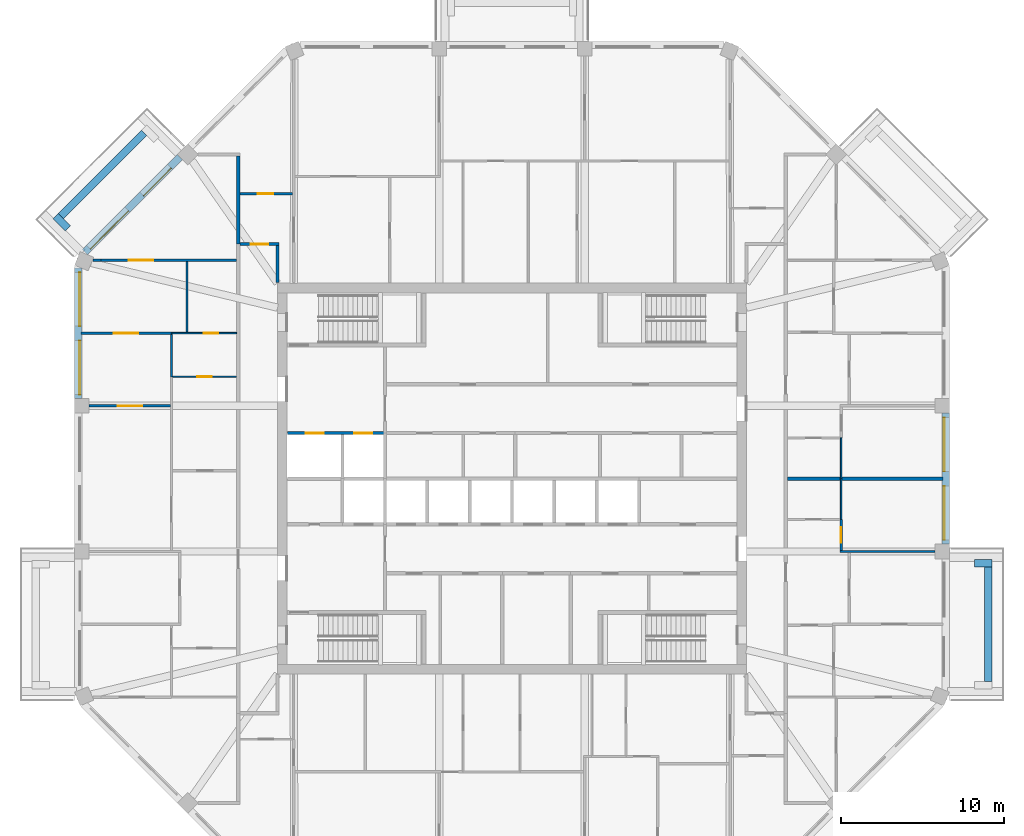
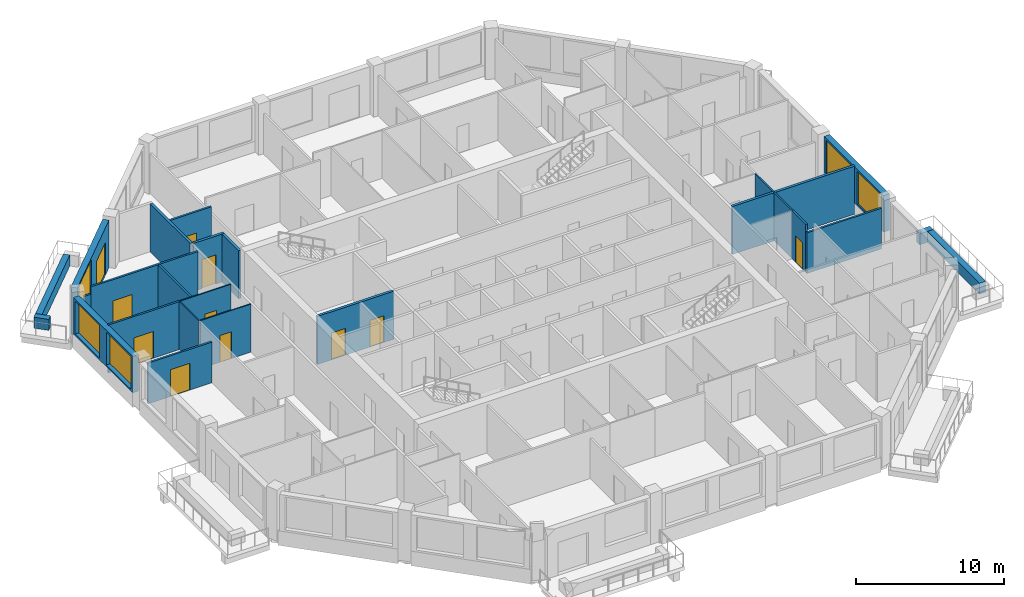
# One storey, part 7 of 11: 25 walls, 11 doors, 5 windows, 16 openings.
"""IFC4 building model written with IfcOpenShell, lengths in metres."""

from ifc_helpers import new_model, si_unit, direction, frame, frame_2d, origin, place, context, subcontext, project, spatial, rectangle, extrude, material, layer, layer_set, type_object, element, fill, save


model = new_model("IFC4")

# Units and contexts
model_context = context("Model", 3, precision=1e-05, world=origin(), true_north=direction((0.0, 1.0)))
body_context = subcontext(model_context, "Body", "Model", "MODEL_VIEW")
ifc_project = project(units=[si_unit("LENGTHUNIT", "METRE"), si_unit("AREAUNIT", "SQUARE_METRE"), si_unit("VOLUMEUNIT", "CUBIC_METRE"), si_unit("PLANEANGLEUNIT", "RADIAN"), si_unit("MASSUNIT", "GRAM", prefix="KILO")], contexts=[model_context])

# Site, building, storey
site_placement = place(None, origin())
site = spatial("IfcSite", under=ifc_project, at=site_placement, CompositionType="ELEMENT")
building_placement = place(site_placement, origin())
building = spatial("IfcBuilding", under=site, at=building_placement, Name="Msitu Wima Residences", CompositionType="ELEMENT")
storey_placement = place(building_placement, frame((0.0, 0.0, 260.10009765625)))
storey = spatial("IfcBuildingStorey", under=building, at=storey_placement, Name="L60", CompositionType="ELEMENT", Elevation=260.10009765625)

# Walls
ifc_material_1 = material(Name="Facing brick")
ifc_layer_1 = layer(ifc_material_1, 0.06494140625, Name="Facing brick")
ifc_material_2 = material(Name="Concrete C40/50", Category="concrete")
ifc_layer_2 = layer(ifc_material_2, 0.156005859375, Name="Concrete C40/50")
ifc_material_3 = material(Name="Waterproofing membrane")
ifc_layer_3 = layer(ifc_material_3, 0.00390625, Name="Waterproofing membrane")
ifc_material_4 = material(Name="Planting soil and planting")
ifc_layer_4 = layer(ifc_material_4, 0.22509765625, Name="Planting soil and planting")
ifc_layer_set_1 = layer_set([ifc_layer_1, ifc_layer_2, ifc_layer_3, ifc_layer_4], Name="Concrete C40/50")
wall_type_1 = type_object("IfcWallType", Name="Balcony planter PLANTER PL450", PredefinedType="USERDEFINED", material=ifc_layer_set_1)
wall_1_placement = place(storey_placement, frame((29.22509765625, -12.455810546875, 0.0), z_axis=(0.0, 0.0, 1.0), x_axis=(0.0, 1.0, 0.0)))
element("IfcWall", 1, at=wall_1_placement, inside=storey, type_object=wall_type_1, Name="Balcony planter E0 L60", ObjectType="PLANTER", PredefinedType="USERDEFINED", context=body_context, shape_type="SweptSolid", body=[
    extrude(rectangle(XDim=7.037109375, YDim=0.449951171875, at=frame_2d((3.5185546875, 0.0))), origin(), (0.0, 0.0, 1.0), 0.89990234375),
])
wall_2_placement = place(storey_placement, frame((28.39990234375, -5.193603515625, 0.0), z_axis=(0.0, 0.0, 1.0), x_axis=(1.0, 0.0, 0.0)))
element("IfcWall", 2, at=wall_2_placement, inside=storey, type_object=wall_type_1, Name="Balcony planter E0 L60", ObjectType="PLANTER", PredefinedType="USERDEFINED", context=body_context, shape_type="SweptSolid", body=[
    extrude(rectangle(XDim=1.050048828125, YDim=0.449951171875, at=frame_2d((0.52490234375, 0.0))), origin(), (0.0, 0.0, 1.0), 0.89990234375),
])
wall_3_placement = place(storey_placement, frame((-22.572265625, 21.228759765625, 0.0), z_axis=(0.0, 0.0, 1.0), x_axis=(-0.707106781187, -0.707106781187, 0.0)))
element("IfcWall", 3, at=wall_3_placement, inside=storey, type_object=wall_type_1, Name="Balcony planter NW1 L60", ObjectType="PLANTER", PredefinedType="USERDEFINED", context=body_context, shape_type="SweptSolid", body=[
    extrude(rectangle(XDim=7.23828125, YDim=0.449951171875, at=frame_2d((3.619140625, 0.0))), origin(), (0.0, 0.0, 1.0), 0.89990234375),
])
wall_4_placement = place(storey_placement, frame((-27.26611328125, 15.3681640625, 0.0), z_axis=(0.0, 0.0, 1.0), x_axis=(-0.707223014731, 0.706990528533, 0.0)))
element("IfcWall", 4, at=wall_4_placement, inside=storey, type_object=wall_type_1, Name="Balcony planter NW1 L60", ObjectType="PLANTER", PredefinedType="USERDEFINED", context=body_context, shape_type="SweptSolid", body=[
    extrude(rectangle(XDim=1.050048828125, YDim=0.449951171875, at=frame_2d((0.52490234375, 0.0))), origin(), (0.0, 0.0, 1.0), 0.89990234375),
])

# Wall, openings, windows
ifc_material_5 = material(Name="Brick (red buff mix)", Category="masonry")
ifc_layer_5 = layer(ifc_material_5, 0.449951171875)
ifc_layer_set_2 = layer_set([ifc_layer_5], Name="Brick (red buff mix)")
wall_type_2 = type_object("IfcWallType", Name="Brick infill wall BW450", PredefinedType="SOLIDWALL", material=ifc_layer_set_2)
wall_5_placement = place(storey_placement, frame((26.625, -4.0185546875, 0.89990234375), z_axis=(0.0, 0.0, 1.0), x_axis=(0.0, 1.0, 0.0)))
wall_5 = element("IfcWall", 5, at=wall_5_placement, inside=storey, type_object=wall_type_2, Name="Brick infill wall L60 E1", PredefinedType="SOLIDWALL", context=body_context, shape_type="SweptSolid", body=[
    extrude(rectangle(XDim=8.037109375, YDim=0.449951171875, at=frame_2d((4.0185546875, 0.0))), origin(), (0.0, 0.0, 1.0), 3.0),
])
opening_1_placement = place(wall_5_placement, frame((0.2685546875, 0.0, 0.14990234375)))
opening_1 = element("IfcOpeningElement", 6, at=opening_1_placement, cuts=wall_5, Name="Opening W60-62.002", PredefinedType="OPENING", context=body_context, shape_type="SweptSolid", body=[
    extrude(rectangle(XDim=3.300048828125, YDim=2.699951171875, at=frame_2d((1.64990234375, 1.35009765625))), frame((0.0, 0.23486328125, 0.0), z_axis=(0.0, -1.0, 0.0), x_axis=(1.0, 0.0, 0.0)), (0.0, 0.0, 1.0), 0.469970703125),
])
opening_2_placement = place(wall_5_placement, frame((4.46875, 0.0, 0.14990234375)))
opening_2 = element("IfcOpeningElement", 7, at=opening_2_placement, cuts=wall_5, Name="Opening W60-62.003", PredefinedType="OPENING", context=body_context, shape_type="SweptSolid", body=[
    extrude(rectangle(XDim=3.300048828125, YDim=2.699951171875, at=frame_2d((1.64990234375, 1.35009765625))), frame((0.0, 0.23486328125, 0.0), z_axis=(0.0, -1.0, 0.0), x_axis=(1.0, 0.0, 0.0)), (0.0, 0.0, 1.0), 0.469970703125),
])
ifc_material_6 = material(Name="Anodised aluminium, bronze finish, clear low-emissivity double glazing", Category="aluminium")
window_type = type_object("IfcWindowType", Name="Window W3300x2700", PartitioningType="DOUBLE_PANEL_VERTICAL", PredefinedType="WINDOW", material=ifc_material_6)
window_1_placement = place(opening_1_placement, origin())
window_1 = element("IfcWindow", 8, at=window_1_placement, inside=storey, type_object=window_type, Name="Window L60 E1.1", OverallHeight=2.699951171875, OverallWidth=3.300048828125, PartitioningType="SINGLE_PANEL", PredefinedType="WINDOW", context=body_context, shape_type="SweptSolid", body=[
    extrude(rectangle(XDim=3.300048828125, YDim=2.699951171875, at=frame_2d((1.64990234375, 1.35009765625))), frame((0.0, 0.135009765625, 0.0), z_axis=(0.0, -1.0, 0.0), x_axis=(1.0, 0.0, 0.0)), (0.0, 0.0, 1.0), 0.06005859375),
])
fill(opening_1, window_1)
window_2_placement = place(opening_2_placement, origin())
window_2 = element("IfcWindow", 9, at=window_2_placement, inside=storey, type_object=window_type, Name="Window L60 E1.2", OverallHeight=2.699951171875, OverallWidth=3.300048828125, PartitioningType="SINGLE_PANEL", PredefinedType="WINDOW", context=body_context, shape_type="SweptSolid", body=[
    extrude(rectangle(XDim=3.300048828125, YDim=2.699951171875, at=frame_2d((1.64990234375, 1.35009765625))), frame((0.0, 0.135009765625, 0.0), z_axis=(0.0, -1.0, 0.0), x_axis=(1.0, 0.0, 0.0)), (0.0, 0.0, 1.0), 0.06005859375),
])
fill(opening_2, window_2)

# Wall, openings, door, window
wall_6_placement = place(storey_placement, frame((-20.380126953125, 19.743896484375, 0.0), z_axis=(0.0, 0.0, 1.0), x_axis=(-0.707106781187, -0.707106781187, 0.0)))
wall_6 = element("IfcWall", 10, at=wall_6_placement, inside=storey, type_object=wall_type_2, Name="Brick infill wall L60 NW1", PredefinedType="SOLIDWALL", context=body_context, shape_type="SweptSolid", body=[
    extrude(rectangle(XDim=8.251220703125, YDim=0.449951171875, at=frame_2d((4.12548828125, 0.0))), origin(), (0.0, 0.0, 1.0), 3.89990234375),
])
opening_3_placement = place(wall_6_placement, frame((0.86279296875, 0.0, 0.0)))
opening_3 = element("IfcOpeningElement", 11, at=opening_3_placement, cuts=wall_6, Name="Opening D60-62.004", PredefinedType="OPENING", context=body_context, shape_type="SweptSolid", body=[
    extrude(rectangle(XDim=2.39990234375, YDim=2.699951171875, at=frame_2d((1.199951171875, 1.35009765625))), frame((0.0, 0.23486328125, 0.0), z_axis=(0.0, -1.0, 0.0), x_axis=(1.0, 0.0, 0.0)), (0.0, 0.0, 1.0), 0.469970703125),
])
opening_4_placement = place(wall_6_placement, frame((4.57568359375, 0.0, 1.050048828125)))
opening_4 = element("IfcOpeningElement", 12, at=opening_4_placement, cuts=wall_6, Name="Opening W60-62.016", PredefinedType="OPENING", context=body_context, shape_type="SweptSolid", body=[
    extrude(rectangle(XDim=3.300048828125, YDim=2.699951171875, at=frame_2d((1.64990234375, 1.35009765625))), frame((0.0, 0.23486328125, 0.0), z_axis=(0.0, -1.0, 0.0), x_axis=(1.0, 0.0, 0.0)), (0.0, 0.0, 1.0), 0.469970703125),
])
door_type_1 = type_object("IfcDoorType", Name="Balcony door D2400x2700", OperationType="SLIDING_TO_LEFT", PredefinedType="DOOR", material=ifc_material_6)
door_1_placement = place(opening_3_placement, origin())
door_1 = element("IfcDoor", 13, at=door_1_placement, inside=storey, type_object=door_type_1, Name="Balcony door L60 NW1", OperationType="SINGLE_SWING_LEFT", OverallHeight=2.699951171875, OverallWidth=2.39990234375, PredefinedType="DOOR", context=body_context, shape_type="SweptSolid", body=[
    extrude(rectangle(XDim=2.39990234375, YDim=2.699951171875, at=frame_2d((1.199951171875, 1.35009765625))), frame((0.0, 0.1298828125, 0.0), z_axis=(0.0, -1.0, 0.0), x_axis=(1.0, 0.0, 0.0)), (0.0, 0.0, 1.0), 0.050048828125),
])
fill(opening_3, door_1)
window_3_placement = place(opening_4_placement, origin())
window_3 = element("IfcWindow", 14, at=window_3_placement, inside=storey, type_object=window_type, Name="Window L60 NW1.2", OverallHeight=2.699951171875, OverallWidth=3.300048828125, PartitioningType="SINGLE_PANEL", PredefinedType="WINDOW", context=body_context, shape_type="SweptSolid", body=[
    extrude(rectangle(XDim=3.300048828125, YDim=2.699951171875, at=frame_2d((1.64990234375, 1.35009765625))), frame((0.0, 0.135009765625, 0.0), z_axis=(0.0, -1.0, 0.0), x_axis=(1.0, 0.0, 0.0)), (0.0, 0.0, 1.0), 0.06005859375),
])
fill(opening_4, window_3)

# Wall, openings, windows
wall_7_placement = place(storey_placement, frame((-26.625, 12.918701171875, 0.89990234375), z_axis=(0.0, 0.0, 1.0), x_axis=(0.0, -1.0, 0.0)))
wall_7 = element("IfcWall", 15, at=wall_7_placement, inside=storey, type_object=wall_type_2, Name="Brick infill wall L60 W0", PredefinedType="SOLIDWALL", context=body_context, shape_type="SweptSolid", body=[
    extrude(rectangle(XDim=8.0, YDim=0.449951171875, at=frame_2d((4.0, 0.0))), origin(), (0.0, 0.0, 1.0), 3.0),
])
opening_5_placement = place(wall_7_placement, frame((0.25, 0.0, 0.14990234375)))
opening_5 = element("IfcOpeningElement", 16, at=opening_5_placement, cuts=wall_7, Name="Opening W60-62.029", PredefinedType="OPENING", context=body_context, shape_type="SweptSolid", body=[
    extrude(rectangle(XDim=3.300048828125, YDim=2.699951171875, at=frame_2d((1.64990234375, 1.35009765625))), frame((0.0, 0.23486328125, 0.0), z_axis=(0.0, -1.0, 0.0), x_axis=(1.0, 0.0, 0.0)), (0.0, 0.0, 1.0), 0.469970703125),
])
opening_6_placement = place(wall_7_placement, frame((4.4501953125, 0.0, 0.14990234375)))
opening_6 = element("IfcOpeningElement", 17, at=opening_6_placement, cuts=wall_7, Name="Opening W60-62.030", PredefinedType="OPENING", context=body_context, shape_type="SweptSolid", body=[
    extrude(rectangle(XDim=3.300048828125, YDim=2.699951171875, at=frame_2d((1.64990234375, 1.35009765625))), frame((0.0, 0.23486328125, 0.0), z_axis=(0.0, -1.0, 0.0), x_axis=(1.0, 0.0, 0.0)), (0.0, 0.0, 1.0), 0.469970703125),
])
window_4_placement = place(opening_5_placement, origin())
window_4 = element("IfcWindow", 18, at=window_4_placement, inside=storey, type_object=window_type, Name="Window L60 W0.1", OverallHeight=2.699951171875, OverallWidth=3.300048828125, PartitioningType="SINGLE_PANEL", PredefinedType="WINDOW", context=body_context, shape_type="SweptSolid", body=[
    extrude(rectangle(XDim=3.300048828125, YDim=2.699951171875, at=frame_2d((1.64990234375, 1.35009765625))), frame((0.0, 0.135009765625, 0.0), z_axis=(0.0, -1.0, 0.0), x_axis=(1.0, 0.0, 0.0)), (0.0, 0.0, 1.0), 0.06005859375),
])
fill(opening_5, window_4)
window_5_placement = place(opening_6_placement, origin())
window_5 = element("IfcWindow", 19, at=window_5_placement, inside=storey, type_object=window_type, Name="Window L60 W0.2", OverallHeight=2.699951171875, OverallWidth=3.300048828125, PartitioningType="SINGLE_PANEL", PredefinedType="WINDOW", context=body_context, shape_type="SweptSolid", body=[
    extrude(rectangle(XDim=3.300048828125, YDim=2.699951171875, at=frame_2d((1.64990234375, 1.35009765625))), frame((0.0, 0.135009765625, 0.0), z_axis=(0.0, -1.0, 0.0), x_axis=(1.0, 0.0, 0.0)), (0.0, 0.0, 1.0), 0.06005859375),
])
fill(opening_6, window_5)

# Wall, opening, door
ifc_material_7 = material(Name="Plaster")
ifc_layer_6 = layer(ifc_material_7, 0.011962890625, Name="Plaster")
ifc_material_8 = material(Name="Concrete blockwork", Category="masonry")
ifc_layer_7 = layer(ifc_material_8, 0.176025390625, Name="Concrete blockwork")
ifc_layer_8 = layer(ifc_material_7, 0.011962890625, Name="Plaster")
ifc_layer_set_3 = layer_set([ifc_layer_6, ifc_layer_7, ifc_layer_8], Name="Concrete blockwork")
wall_type_3 = type_object("IfcWallType", Name="Corridor wall FW200", PredefinedType="PARTITIONING", material=ifc_layer_set_3)
wall_8_placement = place(storey_placement, frame((-16.699951171875, 14.39990234375, 0.0), z_axis=(0.0, 0.0, 1.0), x_axis=(1.0, 0.0, 0.0)))
wall_8 = element("IfcWall", 20, at=wall_8_placement, inside=storey, type_object=wall_type_3, Name="Corridor wall", PredefinedType="PARTITIONING", context=body_context, shape_type="SweptSolid", body=[
    extrude(rectangle(XDim=2.39990234375, YDim=0.199951171875, at=frame_2d((1.199951171875, 0.0))), origin(), (0.0, 0.0, 1.0), 3.949951171875),
])
opening_7_placement = place(wall_8_placement, frame((0.64990234375, 0.0, 0.0)))
opening_7 = element("IfcOpeningElement", 21, at=opening_7_placement, cuts=wall_8, Name="Opening D60-62.026", PredefinedType="OPENING", context=body_context, shape_type="SweptSolid", body=[
    extrude(rectangle(XDim=1.10009765625, YDim=2.39990234375, at=frame_2d((0.550048828125, 1.199951171875))), frame((0.0, 0.10986328125, 0.0), z_axis=(0.0, -1.0, 0.0), x_axis=(1.0, 0.0, 0.0)), (0.0, 0.0, 1.0), 0.219970703125),
])
ifc_material_9 = material(Name="Timber flush door, fire resisting, self-closing", Category="wood")
door_type_2 = type_object("IfcDoorType", Name="Flat entrance door D01 1100x2400", OperationType="SINGLE_SWING_LEFT", PredefinedType="DOOR", material=ifc_material_9)
door_2_placement = place(opening_7_placement, origin())
door_2 = element("IfcDoor", 22, at=door_2_placement, inside=storey, type_object=door_type_2, Name="Flat entrance door", OperationType="SINGLE_SWING_LEFT", OverallHeight=2.39990234375, OverallWidth=1.10009765625, PredefinedType="DOOR", context=body_context, shape_type="SweptSolid", body=[
    extrude(rectangle(XDim=1.10009765625, YDim=2.39990234375, at=frame_2d((0.550048828125, 1.199951171875))), frame((0.0, 0.02490234375, 0.0), z_axis=(0.0, -1.0, 0.0), x_axis=(1.0, 0.0, 0.0)), (0.0, 0.0, 1.0), 0.050048828125),
])
fill(opening_7, door_2)

# Wall
wall_9_placement = place(storey_placement, frame((-14.39990234375, 12.030029296875, 0.0), z_axis=(0.0, 0.0, 1.0), x_axis=(0.0, 1.0, 0.0)))
element("IfcWall", 23, at=wall_9_placement, inside=storey, type_object=wall_type_3, Name="Corridor wall", PredefinedType="PARTITIONING", context=body_context, shape_type="SweptSolid", body=[
    extrude(rectangle(XDim=2.27001953125, YDim=0.199951171875, at=frame_2d((1.135009765625, 0.0))), origin(), (0.0, 0.0, 1.0), 3.949951171875),
])

# Wall, opening, door
ifc_layer_9 = layer(ifc_material_7, 0.011962890625, Name="Plaster")
ifc_layer_10 = layer(ifc_material_8, 0.1259765625, Name="Concrete blockwork")
ifc_layer_11 = layer(ifc_material_7, 0.011962890625, Name="Plaster")
ifc_layer_set_4 = layer_set([ifc_layer_9, ifc_layer_10, ifc_layer_11], Name="Concrete blockwork")
wall_type_4 = type_object("IfcWallType", Name="Partition PW150", PredefinedType="PARTITIONING", material=ifc_layer_set_4)
wall_10_placement = place(storey_placement, frame((-25.949951171875, 4.46875, 0.0), z_axis=(0.0, 0.0, 1.0), x_axis=(1.0, 0.0, 0.0)))
wall_10 = element("IfcWall", 24, at=wall_10_placement, inside=storey, type_object=wall_type_4, Name="Partition", PredefinedType="PARTITIONING", context=body_context, shape_type="SweptSolid", body=[
    extrude(rectangle(XDim=4.974853515625, YDim=0.14990234375, at=frame_2d((2.4873046875, 0.0))), origin(), (0.0, 0.0, 1.0), 3.349853515625),
])
opening_8_placement = place(wall_10_placement, frame((1.75, 0.0, 0.0)))
opening_8 = element("IfcOpeningElement", 25, at=opening_8_placement, cuts=wall_10, Name="Opening D60-62.049", PredefinedType="OPENING", context=body_context, shape_type="SweptSolid", body=[
    extrude(rectangle(XDim=1.5, YDim=2.199951171875, at=frame_2d((0.75, 1.10009765625))), frame((0.0, 0.0849609375, 0.0), z_axis=(0.0, -1.0, 0.0), x_axis=(1.0, 0.0, 0.0)), (0.0, 0.0, 1.0), 0.169921875),
])
ifc_material_10 = material(Name="Timber double door", Category="wood")
door_type_3 = type_object("IfcDoorType", Name="Double door D04 1500x2200", OperationType="DOUBLE_DOOR_SINGLE_SWING", PredefinedType="DOOR", material=ifc_material_10)
door_3_placement = place(opening_8_placement, origin())
door_3 = element("IfcDoor", 26, at=door_3_placement, inside=storey, type_object=door_type_3, Name="Double door", OperationType="DOUBLE_DOOR_SINGLE_SWING", OverallHeight=2.199951171875, OverallWidth=1.5, PredefinedType="DOOR", context=body_context, shape_type="SweptSolid", body=[
    extrude(rectangle(XDim=1.5, YDim=2.199951171875, at=frame_2d((0.75, 1.10009765625))), frame((0.0, 0.02490234375, 0.0), z_axis=(0.0, -1.0, 0.0), x_axis=(1.0, 0.0, 0.0)), (0.0, 0.0, 1.0), 0.050048828125),
])
fill(opening_8, door_3)

wall_11_placement = place(storey_placement, frame((-26.455078125, 8.937255859375, 0.0), z_axis=(0.0, 0.0, 1.0), x_axis=(1.0, 0.0, 0.0)))
wall_11 = element("IfcWall", 27, at=wall_11_placement, inside=storey, type_object=wall_type_4, Name="Partition", PredefinedType="PARTITIONING", context=body_context, shape_type="SweptSolid", body=[
    extrude(rectangle(XDim=5.5751953125, YDim=0.14990234375, at=frame_2d((2.78759765625, 0.0))), origin(), (0.0, 0.0, 1.0), 3.949951171875),
])
opening_9_placement = place(wall_11_placement, frame((2.0, 0.0, 0.0)))
opening_9 = element("IfcOpeningElement", 28, at=opening_9_placement, cuts=wall_11, Name="Opening D60-62.041", PredefinedType="OPENING", context=body_context, shape_type="SweptSolid", body=[
    extrude(rectangle(XDim=1.5, YDim=2.199951171875, at=frame_2d((0.75, 1.10009765625))), frame((0.0, 0.0849609375, 0.0), z_axis=(0.0, -1.0, 0.0), x_axis=(1.0, 0.0, 0.0)), (0.0, 0.0, 1.0), 0.169921875),
])
door_4_placement = place(opening_9_placement, origin())
door_4 = element("IfcDoor", 29, at=door_4_placement, inside=storey, type_object=door_type_3, Name="Double door", OperationType="DOUBLE_DOOR_SINGLE_SWING", OverallHeight=2.199951171875, OverallWidth=1.5, PredefinedType="DOOR", context=body_context, shape_type="SweptSolid", body=[
    extrude(rectangle(XDim=1.5, YDim=2.199951171875, at=frame_2d((0.75, 1.10009765625))), frame((0.0, 0.02490234375, 0.0), z_axis=(0.0, -1.0, 0.0), x_axis=(1.0, 0.0, 0.0)), (0.0, 0.0, 1.0), 0.050048828125),
])
fill(opening_9, door_4)

# Wall
wall_12_placement = place(storey_placement, frame((-25.731201171875, 13.406005859375, 0.0), z_axis=(0.0, 0.0, 1.0), x_axis=(1.0, 0.0, 0.0)))
element("IfcWall", 30, at=wall_12_placement, inside=storey, type_object=wall_type_4, Name="Partition", PredefinedType="PARTITIONING", context=body_context, shape_type="SweptSolid", body=[
    extrude(rectangle(XDim=0.507080078125, YDim=0.14990234375, at=frame_2d((0.25341796875, 0.0))), origin(), (0.0, 0.0, 1.0), 3.349853515625),
])

# Wall, opening, door
wall_13_placement = place(storey_placement, frame((-25.22412109375, 13.406005859375, 0.0), z_axis=(0.0, 0.0, 1.0), x_axis=(1.0, 0.0, 0.0)))
wall_13 = element("IfcWall", 31, at=wall_13_placement, inside=storey, type_object=wall_type_4, Name="Partition", PredefinedType="PARTITIONING", context=body_context, shape_type="SweptSolid", body=[
    extrude(rectangle(XDim=8.32421875, YDim=0.14990234375, at=frame_2d((4.162109375, 0.0))), origin(), (0.0, 0.0, 1.0), 3.949951171875),
])
opening_10_placement = place(wall_13_placement, frame((1.69287109375, 0.0, 0.0)))
opening_10 = element("IfcOpeningElement", 32, at=opening_10_placement, cuts=wall_13, Name="Opening D60-62.042", PredefinedType="OPENING", context=body_context, shape_type="SweptSolid", body=[
    extrude(rectangle(XDim=1.5, YDim=2.199951171875, at=frame_2d((0.75, 1.10009765625))), frame((0.0, 0.0849609375, 0.0), z_axis=(0.0, -1.0, 0.0), x_axis=(1.0, 0.0, 0.0)), (0.0, 0.0, 1.0), 0.169921875),
])
door_5_placement = place(opening_10_placement, origin())
door_5 = element("IfcDoor", 33, at=door_5_placement, inside=storey, type_object=door_type_3, Name="Double door", OperationType="DOUBLE_DOOR_SINGLE_SWING", OverallHeight=2.199951171875, OverallWidth=1.5, PredefinedType="DOOR", context=body_context, shape_type="SweptSolid", body=[
    extrude(rectangle(XDim=1.5, YDim=2.199951171875, at=frame_2d((0.75, 1.10009765625))), frame((0.0, 0.02490234375, 0.0), z_axis=(0.0, -1.0, 0.0), x_axis=(1.0, 0.0, 0.0)), (0.0, 0.0, 1.0), 0.050048828125),
])
fill(opening_10, door_5)

# Wall
wall_14_placement = place(storey_placement, frame((-19.949951171875, 8.9873046875, 0.0), z_axis=(0.0, 0.0, 1.0), x_axis=(0.0, 1.0, 0.0)))
element("IfcWall", 34, at=wall_14_placement, inside=storey, type_object=wall_type_4, Name="Partition", PredefinedType="PARTITIONING", context=body_context, shape_type="SweptSolid", body=[
    extrude(rectangle(XDim=4.343505859375, YDim=0.14990234375, at=frame_2d((2.171875, 0.0))), origin(), (0.0, 0.0, 1.0), 3.949951171875),
])

# Wall, opening, door
wall_15_placement = place(storey_placement, frame((-16.699951171875, 17.5, 0.0), z_axis=(0.0, 0.0, 1.0), x_axis=(1.0, 0.0, 0.0)))
wall_15 = element("IfcWall", 35, at=wall_15_placement, inside=storey, type_object=wall_type_4, Name="Partition", PredefinedType="PARTITIONING", context=body_context, shape_type="SweptSolid", body=[
    extrude(rectangle(XDim=3.218994140625, YDim=0.14990234375, at=frame_2d((1.609375, 0.0))), origin(), (0.0, 0.0, 1.0), 3.949951171875),
])
opening_11_placement = place(wall_15_placement, frame((1.10009765625, 0.0, 0.0)))
opening_11 = element("IfcOpeningElement", 36, at=opening_11_placement, cuts=wall_15, Name="Opening D60-62.032", PredefinedType="OPENING", context=body_context, shape_type="SweptSolid", body=[
    extrude(rectangle(XDim=0.949951171875, YDim=2.199951171875, at=frame_2d((0.47509765625, 1.10009765625))), frame((0.0, 0.0849609375, 0.0), z_axis=(0.0, -1.0, 0.0), x_axis=(1.0, 0.0, 0.0)), (0.0, 0.0, 1.0), 0.169921875),
])
ifc_material_11 = material(Name="Timber flush door", Category="wood")
door_type_4 = type_object("IfcDoorType", Name="Room door D12 950x2200", OperationType="SINGLE_SWING_LEFT", PredefinedType="DOOR", material=ifc_material_11)
door_6_placement = place(opening_11_placement, origin())
door_6 = element("IfcDoor", 37, at=door_6_placement, inside=storey, type_object=door_type_4, Name="Room door", OperationType="SINGLE_SWING_LEFT", OverallHeight=2.199951171875, OverallWidth=0.949951171875, PredefinedType="DOOR", context=body_context, shape_type="SweptSolid", body=[
    extrude(rectangle(XDim=0.949951171875, YDim=2.199951171875, at=frame_2d((0.47509765625, 1.10009765625))), frame((0.0, 0.02490234375, 0.0), z_axis=(0.0, -1.0, 0.0), x_axis=(1.0, 0.0, 0.0)), (0.0, 0.0, 1.0), 0.050048828125),
])
fill(opening_11, door_6)

wall_16_placement = place(storey_placement, frame((20.199951171875, -4.3935546875, 0.0), z_axis=(0.0, 0.0, 1.0), x_axis=(0.0, 1.0, 0.0)))
wall_16 = element("IfcWall", 38, at=wall_16_placement, inside=storey, type_object=wall_type_4, Name="Partition", PredefinedType="PARTITIONING", context=body_context, shape_type="SweptSolid", body=[
    extrude(rectangle(XDim=1.8935546875, YDim=0.14990234375, at=frame_2d((0.94677734375, 0.0))), origin(), (0.0, 0.0, 1.0), 3.949951171875),
])
opening_12_placement = place(wall_16_placement, frame((0.449951171875, 0.0, 0.0)))
opening_12 = element("IfcOpeningElement", 39, at=opening_12_placement, cuts=wall_16, Name="Opening D60-62.011", PredefinedType="OPENING", context=body_context, shape_type="SweptSolid", body=[
    extrude(rectangle(XDim=0.949951171875, YDim=2.199951171875, at=frame_2d((0.47509765625, 1.10009765625))), frame((0.0, 0.0849609375, 0.0), z_axis=(0.0, -1.0, 0.0), x_axis=(1.0, 0.0, 0.0)), (0.0, 0.0, 1.0), 0.169921875),
])
door_7_placement = place(opening_12_placement, origin())
door_7 = element("IfcDoor", 40, at=door_7_placement, inside=storey, type_object=door_type_4, Name="Room door", OperationType="SINGLE_SWING_RIGHT", OverallHeight=2.199951171875, OverallWidth=0.949951171875, PredefinedType="DOOR", context=body_context, shape_type="SweptSolid", body=[
    extrude(rectangle(XDim=0.949951171875, YDim=2.199951171875, at=frame_2d((0.47509765625, 1.10009765625))), frame((0.0, 0.02490234375, 0.0), z_axis=(0.0, -1.0, 0.0), x_axis=(1.0, 0.0, 0.0)), (0.0, 0.0, 1.0), 0.050048828125),
])
fill(opening_12, door_7)

# Walls
wall_17_placement = place(storey_placement, frame((20.125, -4.46875, 0.0), z_axis=(0.0, 0.0, 1.0), x_axis=(1.0, 0.0, 0.0)))
element("IfcWall", 41, at=wall_17_placement, inside=storey, type_object=wall_type_4, Name="Partition", PredefinedType="PARTITIONING", context=body_context, shape_type="SweptSolid", body=[
    extrude(rectangle(XDim=5.824951171875, YDim=0.14990234375, at=frame_2d((2.91259765625, 0.0))), origin(), (0.0, 0.0, 1.0), 3.349853515625),
])
ifc_layer_12 = layer(ifc_material_7, 0.011962890625, Name="Plaster")
ifc_material_12 = material(Name="Dense concrete blockwork", Category="masonry")
ifc_layer_13 = layer(ifc_material_12, 0.176025390625, Name="Dense concrete blockwork")
ifc_layer_14 = layer(ifc_material_7, 0.011962890625, Name="Plaster")
ifc_layer_set_5 = layer_set([ifc_layer_12, ifc_layer_13, ifc_layer_14], Name="Dense concrete blockwork")
wall_type_5 = type_object("IfcWallType", Name="Party wall PW200", PredefinedType="PARTITIONING", material=ifc_layer_set_5)
wall_18_placement = place(storey_placement, frame((-16.800048828125, 14.39990234375, 0.0), z_axis=(0.0, 0.0, 1.0), x_axis=(0.0, 1.0, 0.0)))
element("IfcWall", 42, at=wall_18_placement, inside=storey, type_object=wall_type_5, Name="Party wall", PredefinedType="PARTITIONING", context=body_context, shape_type="SweptSolid", body=[
    extrude(rectangle(XDim=5.403076171875, YDim=0.199951171875, at=frame_2d((2.70166015625, 0.0))), origin(), (0.0, 0.0, 1.0), 3.949951171875),
])
wall_19_placement = place(storey_placement, frame((16.89990234375, 0.0, 0.0), z_axis=(0.0, 0.0, 1.0), x_axis=(1.0, 0.0, 0.0)))
element("IfcWall", 43, at=wall_19_placement, inside=storey, type_object=wall_type_5, Name="Party wall", PredefinedType="PARTITIONING", context=body_context, shape_type="SweptSolid", body=[
    extrude(rectangle(XDim=9.55517578125, YDim=0.199951171875, at=frame_2d((4.777587890625, 0.0))), origin(), (0.0, 0.0, 1.0), 3.949951171875),
])

# Wall, openings, doors
ifc_material_13 = material(Name="Fire-rated board")
ifc_layer_15 = layer(ifc_material_13, 0.02490234375, Name="Fire-rated board")
ifc_material_14 = material(Name="Light-gauge stud framing with mineral wool")
ifc_layer_16 = layer(ifc_material_14, 0.14990234375, Name="Light-gauge stud framing with mineral wool")
ifc_layer_17 = layer(ifc_material_13, 0.02490234375, Name="Fire-rated board")
ifc_layer_set_6 = layer_set([ifc_layer_15, ifc_layer_16, ifc_layer_17], Name="Light-gauge stud framing with mineral wool")
wall_type_6 = type_object("IfcWallType", Name="Shaft wall SH200", PredefinedType="PARTITIONING", material=ifc_layer_set_6)
wall_20_placement = place(storey_placement, frame((-13.77001953125, 2.800048828125, 0.0), z_axis=(0.0, 0.0, 1.0), x_axis=(1.0, 0.0, 0.0)))
wall_20 = element("IfcWall", 44, at=wall_20_placement, inside=storey, type_object=wall_type_6, Name="Shaft wall", PredefinedType="PARTITIONING", context=body_context, shape_type="SweptSolid", body=[
    extrude(rectangle(XDim=5.949951171875, YDim=0.199951171875, at=frame_2d((2.97509765625, 0.0))), origin(), (0.0, 0.0, 1.0), 3.949951171875),
])
opening_13_placement = place(wall_20_placement, frame((1.10009765625, 0.0, 0.0)))
opening_13 = element("IfcOpeningElement", 45, at=opening_13_placement, cuts=wall_20, Name="Opening LD", PredefinedType="OPENING", context=body_context, shape_type="SweptSolid", body=[
    extrude(rectangle(XDim=1.10009765625, YDim=2.199951171875, at=frame_2d((0.550048828125, 1.10009765625))), frame((0.0, 0.10986328125, 0.0), z_axis=(0.0, -1.0, 0.0), x_axis=(1.0, 0.0, 0.0)), (0.0, 0.0, 1.0), 0.219970703125),
])
opening_14_placement = place(wall_20_placement, frame((4.10009765625, 0.0, 0.0)))
opening_14 = element("IfcOpeningElement", 46, at=opening_14_placement, cuts=wall_20, Name="Opening LD", PredefinedType="OPENING", context=body_context, shape_type="SweptSolid", body=[
    extrude(rectangle(XDim=1.10009765625, YDim=2.199951171875, at=frame_2d((0.550048828125, 1.10009765625))), frame((0.0, 0.10986328125, 0.0), z_axis=(0.0, -1.0, 0.0), x_axis=(1.0, 0.0, 0.0)), (0.0, 0.0, 1.0), 0.219970703125),
])
ifc_material_15 = material(Name="Stainless steel centre-opening landing door, rated", Category="steel")
door_type_5 = type_object("IfcDoorType", Name="Lift landing door LD 1100x2200", OperationType="DOUBLE_DOOR_SLIDING", PredefinedType="DOOR", material=ifc_material_15)
door_8_placement = place(opening_13_placement, origin())
door_8 = element("IfcDoor", 47, at=door_8_placement, inside=storey, type_object=door_type_5, Name="Lift landing door LD1", OperationType="DOUBLE_DOOR_SLIDING", OverallHeight=2.199951171875, OverallWidth=1.10009765625, PredefinedType="DOOR", context=body_context, shape_type="SweptSolid", body=[
    extrude(rectangle(XDim=1.10009765625, YDim=2.199951171875, at=frame_2d((0.550048828125, 1.10009765625))), frame((0.0, 0.02490234375, 0.0), z_axis=(0.0, -1.0, 0.0), x_axis=(1.0, 0.0, 0.0)), (0.0, 0.0, 1.0), 0.050048828125),
])
fill(opening_13, door_8)
door_9_placement = place(opening_14_placement, origin())
door_9 = element("IfcDoor", 48, at=door_9_placement, inside=storey, type_object=door_type_5, Name="Lift landing door LD2", OperationType="DOUBLE_DOOR_SLIDING", OverallHeight=2.199951171875, OverallWidth=1.10009765625, PredefinedType="DOOR", context=body_context, shape_type="SweptSolid", body=[
    extrude(rectangle(XDim=1.10009765625, YDim=2.199951171875, at=frame_2d((0.550048828125, 1.10009765625))), frame((0.0, 0.02490234375, 0.0), z_axis=(0.0, -1.0, 0.0), x_axis=(1.0, 0.0, 0.0)), (0.0, 0.0, 1.0), 0.050048828125),
])
fill(opening_14, door_9)

# Wall
ifc_material_16 = material(Name="Ceramic tiles")
ifc_layer_18 = layer(ifc_material_16, 0.008056640625, Name="Ceramic tiles")
ifc_material_17 = material(Name="Moisture-resistant board")
ifc_layer_19 = layer(ifc_material_17, 0.012451171875, Name="Moisture-resistant board")
ifc_layer_20 = layer(ifc_material_14, 0.06689453125, Name="Light-gauge stud framing with mineral wool")
ifc_layer_21 = layer(ifc_material_17, 0.012451171875, Name="Moisture-resistant board")
ifc_layer_set_7 = layer_set([ifc_layer_18, ifc_layer_19, ifc_layer_20, ifc_layer_21], Name="Light-gauge stud framing with mineral wool")
wall_type_7 = type_object("IfcWallType", Name="Wet wall PW100", PredefinedType="PARTITIONING", material=ifc_layer_set_7)
wall_21_placement = place(storey_placement, frame((-20.89990234375, 6.256103515625, 0.0), z_axis=(0.0, 0.0, 1.0), x_axis=(0.0, 1.0, 0.0)))
element("IfcWall", 49, at=wall_21_placement, inside=storey, type_object=wall_type_7, Name="Wet wall", PredefinedType="PARTITIONING", context=body_context, shape_type="SweptSolid", body=[
    extrude(rectangle(XDim=2.606201171875, YDim=0.10009765625, at=frame_2d((1.30322265625, 0.0))), origin(), (0.0, 0.0, 1.0), 3.949951171875),
])

# Wall, opening, door
wall_22_placement = place(storey_placement, frame((-20.824951171875, 6.256103515625, 0.0), z_axis=(0.0, 0.0, 1.0), x_axis=(1.0, 0.0, 0.0)))
wall_22 = element("IfcWall", 50, at=wall_22_placement, inside=storey, type_object=wall_type_7, Name="Wet wall", PredefinedType="PARTITIONING", context=body_context, shape_type="SweptSolid", body=[
    extrude(rectangle(XDim=3.925048828125, YDim=0.10009765625, at=frame_2d((1.96240234375, 0.0))), origin(), (0.0, 0.0, 1.0), 3.949951171875),
])
opening_15_placement = place(wall_22_placement, frame((1.5, 0.0, 0.0)))
opening_15 = element("IfcOpeningElement", 51, at=opening_15_placement, cuts=wall_22, Name="Opening D60-62.048", PredefinedType="OPENING", context=body_context, shape_type="SweptSolid", body=[
    extrude(rectangle(XDim=0.89990234375, YDim=2.199951171875, at=frame_2d((0.449951171875, 1.10009765625))), frame((0.0, 0.06005859375, 0.0), z_axis=(0.0, -1.0, 0.0), x_axis=(1.0, 0.0, 0.0)), (0.0, 0.0, 1.0), 0.1201171875),
])
door_type_6 = type_object("IfcDoorType", Name="Service door D05 900x2200", OperationType="SINGLE_SWING_LEFT", PredefinedType="DOOR", material=ifc_material_11)
door_10_placement = place(opening_15_placement, origin())
door_10 = element("IfcDoor", 52, at=door_10_placement, inside=storey, type_object=door_type_6, Name="Service door", OperationType="SINGLE_SWING_RIGHT", OverallHeight=2.199951171875, OverallWidth=0.89990234375, PredefinedType="DOOR", context=body_context, shape_type="SweptSolid", body=[
    extrude(rectangle(XDim=0.89990234375, YDim=2.199951171875, at=frame_2d((0.449951171875, 1.10009765625))), frame((0.0, 0.02490234375, 0.0), z_axis=(0.0, -1.0, 0.0), x_axis=(1.0, 0.0, 0.0)), (0.0, 0.0, 1.0), 0.050048828125),
])
fill(opening_15, door_10)

wall_23_placement = place(storey_placement, frame((-20.8798828125, 8.937255859375, 0.0), z_axis=(0.0, 0.0, 1.0), x_axis=(1.0, 0.0, 0.0)))
wall_23 = element("IfcWall", 53, at=wall_23_placement, inside=storey, type_object=wall_type_7, Name="Wet wall", PredefinedType="PARTITIONING", context=body_context, shape_type="SweptSolid", body=[
    extrude(rectangle(XDim=3.97998046875, YDim=0.10009765625, at=frame_2d((1.989990234375, 0.0))), origin(), (0.0, 0.0, 1.0), 3.949951171875),
])
opening_16_placement = place(wall_23_placement, frame((1.949951171875, 0.0, 0.0)))
opening_16 = element("IfcOpeningElement", 54, at=opening_16_placement, cuts=wall_23, Name="Opening D60-62.050", PredefinedType="OPENING", context=body_context, shape_type="SweptSolid", body=[
    extrude(rectangle(XDim=0.89990234375, YDim=2.199951171875, at=frame_2d((0.449951171875, 1.10009765625))), frame((0.0, 0.06005859375, 0.0), z_axis=(0.0, -1.0, 0.0), x_axis=(1.0, 0.0, 0.0)), (0.0, 0.0, 1.0), 0.1201171875),
])
door_11_placement = place(opening_16_placement, origin())
door_11 = element("IfcDoor", 55, at=door_11_placement, inside=storey, type_object=door_type_6, Name="Service door", OperationType="SINGLE_SWING_LEFT", OverallHeight=2.199951171875, OverallWidth=0.89990234375, PredefinedType="DOOR", context=body_context, shape_type="SweptSolid", body=[
    extrude(rectangle(XDim=0.89990234375, YDim=2.199951171875, at=frame_2d((0.449951171875, 1.10009765625))), frame((0.0, 0.02490234375, 0.0), z_axis=(0.0, -1.0, 0.0), x_axis=(1.0, 0.0, 0.0)), (0.0, 0.0, 1.0), 0.050048828125),
])
fill(opening_16, door_11)

# Walls
for number, where, z_axis, x_axis, name in (
    (56, (20.199951171875, -2.5, 0.0), (0.0, 0.0, 1.0), (0.0, 1.0, 0.0), "Wet wall"),
    (57, (20.199951171875, 0.0, 0.0), (0.0, 0.0, 1.0), (0.0, 1.0, 0.0), "Wet wall"),
):
    element("IfcWall", number, at=place(storey_placement, frame(where, z_axis=z_axis, x_axis=x_axis)), inside=storey, type_object=wall_type_7, Name=name, PredefinedType="PARTITIONING", context=body_context, shape_type="SweptSolid", body=[
        extrude(rectangle(XDim=2.5, YDim=0.10009765625, at=frame_2d((1.25, 0.0))), origin(), (0.0, 0.0, 1.0), 3.949951171875),
    ])

save(model, "model.ifc")
